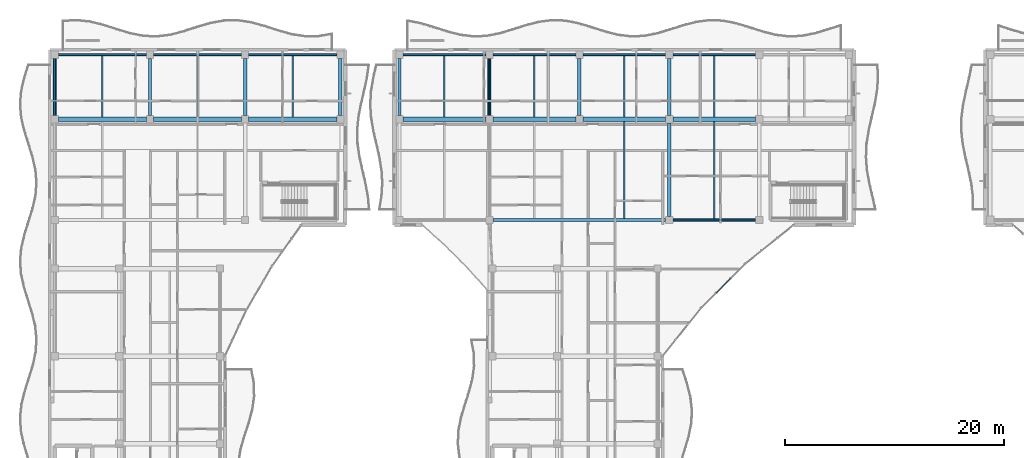
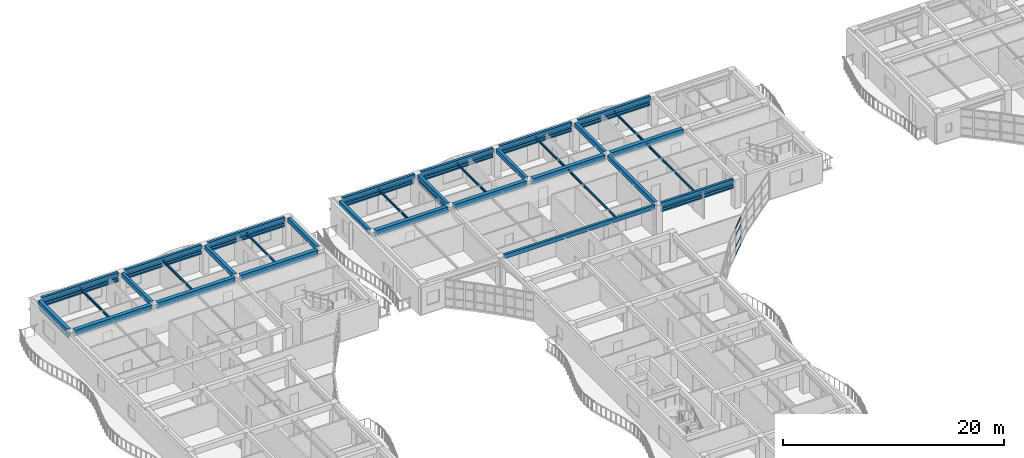
# One storey, part 15 of 89: 34 beams, 24 members, 1 element without a shape of its own.
"""IFC4 building model written with IfcOpenShell, lengths in metres."""

from ifc_helpers import new_model, si_unit, direction, frame, origin, origin_2d, place, context, subcontext, project, spatial, rectangle, hollow_rectangle, i_section, extrude, material, layer, layer_set, material_profile, profile_set, type_object, element, aggregate, save


model = new_model("IFC4")

# Units and contexts
model_context = context("Model", 3, precision=1e-05, world=origin(), true_north=direction((0.0, 1.0)))
body_context = subcontext(model_context, "Body", "Model", "MODEL_VIEW")
ifc_project = project(units=[si_unit("LENGTHUNIT", "METRE"), si_unit("AREAUNIT", "SQUARE_METRE"), si_unit("VOLUMEUNIT", "CUBIC_METRE"), si_unit("PLANEANGLEUNIT", "RADIAN"), si_unit("MASSUNIT", "GRAM", prefix="KILO")], contexts=[model_context])

# Site, building, storey
site_placement = place(None, origin())
site = spatial("IfcSite", under=ifc_project, at=site_placement, CompositionType="ELEMENT")
building_placement = place(site_placement, origin())
building = spatial("IfcBuilding", under=site, at=building_placement, Name="Keldmere Railside Commons", CompositionType="ELEMENT")
storey_placement = place(building_placement, frame((0.0, 0.0, 7.360107421875)))
storey = spatial("IfcBuildingStorey", under=building, at=storey_placement, Name="L02", CompositionType="ELEMENT", Elevation=7.360107421875)

# Members
ifc_material_1 = material(Name="Steel F-36 (S355)", Category="steel")
ifc_material_profile_1 = material_profile(ifc_material_1, hollow_rectangle(XDim=0.14990234375, YDim=0.25, WallThickness=0.010009765625, at=origin_2d()), Name="RHS-250x150x10")
ifc_profile_set_1 = profile_set([ifc_material_profile_1], Name="Steel F-36 (S355)")
member_type_1 = type_object("IfcMemberType", Name="Balcony Continuous Planted Trough RHS250x150", PredefinedType="CHORD", material=ifc_profile_set_1)
member_1_placement = place(storey_placement, frame((8.77490234375, 115.550048828125, 2.414794921875), z_axis=(1.0, 0.0, 0.0), x_axis=(0.0, 1.0, 0.0)))
element("IfcMember", 1, at=member_1_placement, inside=storey, type_object=member_type_1, Name="PLT-1 MEM-BPLT-0211", PredefinedType="CHORD", context=body_context, shape_type="SweptSolid", body=[
    extrude(hollow_rectangle(XDim=0.14990234375, YDim=0.25, WallThickness=0.010009765625, at=origin_2d()), origin(), (0.0, 0.0, 1.0), 8.050048828125),
])
member_2_placement = place(storey_placement, frame((17.47509765625, 115.550048828125, 2.414794921875), z_axis=(1.0, 0.0, 0.0), x_axis=(0.0, 1.0, 0.0)))
element("IfcMember", 2, at=member_2_placement, inside=storey, type_object=member_type_1, Name="PLT-1 MEM-BPLT-0213", PredefinedType="CHORD", context=body_context, shape_type="SweptSolid", body=[
    extrude(hollow_rectangle(XDim=0.14990234375, YDim=0.25, WallThickness=0.010009765625, at=origin_2d()), origin(), (0.0, 0.0, 1.0), 8.0498046875),
])
member_3_placement = place(storey_placement, frame((26.175048828125, 115.550048828125, 2.414794921875), z_axis=(1.0, 0.0, 0.0), x_axis=(0.0, 1.0, 0.0)))
element("IfcMember", 3, at=member_3_placement, inside=storey, type_object=member_type_1, Name="PLT-1 MEM-BPLT-0215", PredefinedType="CHORD", context=body_context, shape_type="SweptSolid", body=[
    extrude(hollow_rectangle(XDim=0.14990234375, YDim=0.25, WallThickness=0.010009765625, at=origin_2d()), origin(), (0.0, 0.0, 1.0), 8.050048828125),
])
member_4_placement = place(storey_placement, frame((8.449951171875, 109.97509765625, 2.414794921875), z_axis=(0.0, 1.0, 0.0), x_axis=(-1.0, 0.0, 0.0)))
element("IfcMember", 4, at=member_4_placement, inside=storey, type_object=member_type_1, Name="PLT-1 MEM-BPLT-0225", PredefinedType="CHORD", context=body_context, shape_type="SweptSolid", body=[
    extrude(hollow_rectangle(XDim=0.14990234375, YDim=0.25, WallThickness=0.010009765625, at=origin_2d()), origin(), (0.0, 0.0, 1.0), 5.25),
])
member_5_placement = place(storey_placement, frame((40.27490234375, 115.550048828125, 2.414794921875), z_axis=(1.0, 0.0, 0.0), x_axis=(0.0, 1.0, 0.0)))
element("IfcMember", 5, at=member_5_placement, inside=storey, type_object=member_type_1, Name="PLT-1 MEM-BPLT-0237", PredefinedType="CHORD", context=body_context, shape_type="SweptSolid", body=[
    extrude(hollow_rectangle(XDim=0.14990234375, YDim=0.25, WallThickness=0.010009765625, at=origin_2d()), origin(), (0.0, 0.0, 1.0), 7.570068359375),
])
for number, where, z_axis, x_axis, name in (
    (6, (48.4951171875, 115.550048828125, 2.414794921875), (1.0, 0.0, 0.0), (0.0, 1.0, 0.0), "PLT-1 MEM-BPLT-0239"),
    (7, (56.715087890625, 115.550048828125, 2.414794921875), (1.0, 0.0, 0.0), (0.0, 1.0, 0.0), "PLT-1 MEM-BPLT-0241"),
    (8, (64.93505859375, 115.550048828125, 2.414794921875), (1.0, 0.0, 0.0), (0.0, 1.0, 0.0), "PLT-1 MEM-BPLT-0243"),
    (9, (64.93505859375, 100.449951171875, 2.414794921875), (1.0, 0.0, 0.0), (0.0, 1.0, 0.0), "PLT-1 MEM-BPLT-0249"),
):
    element("IfcMember", number, at=place(storey_placement, frame(where, z_axis=z_axis, x_axis=x_axis)), inside=storey, type_object=member_type_1, Name=name, PredefinedType="CHORD", context=body_context, shape_type="SweptSolid", body=[
        extrude(hollow_rectangle(XDim=0.14990234375, YDim=0.25, WallThickness=0.010009765625, at=origin_2d()), origin(), (0.0, 0.0, 1.0), 7.56982421875),
    ])
member_6_placement = place(storey_placement, frame((48.169921875, 109.97509765625, 2.414794921875), z_axis=(0.0, 1.0, 0.0), x_axis=(-1.0, 0.0, 0.0)))
element("IfcMember", 10, at=member_6_placement, inside=storey, type_object=member_type_1, Name="PLT-1 MEM-BPLT-0259", PredefinedType="CHORD", context=body_context, shape_type="SweptSolid", body=[
    extrude(hollow_rectangle(XDim=0.14990234375, YDim=0.25, WallThickness=0.010009765625, at=origin_2d()), origin(), (0.0, 0.0, 1.0), 5.25),
])

# Beams
ifc_material_profile_2 = material_profile(ifc_material_1, i_section(OverallWidth=0.1201171875, OverallDepth=0.239990234375, WebThickness=0.006103515625, FlangeThickness=0.009765625, at=origin_2d()), Name="IPE-240")
ifc_profile_set_2 = profile_set([ifc_material_profile_2], Name="Steel F-36 (S355)")
beam_type_1 = type_object("IfcBeamType", Name="Nursery & Mezzanine Steel Joist IPE240", PredefinedType="JOIST", material=ifc_profile_set_2)
for number, where, z_axis, x_axis, name in (
    (11, (60.5, 100.574951171875, 2.809814453125), (0.0, 1.0, 0.0), (-1.0, 0.0, 0.0), "JST-2 BM-L02-1301"),
    (12, (68.719970703125, 100.574951171875, 2.809814453125), (0.0, 1.0, 0.0), (-1.0, 0.0, 0.0), "JST-2 BM-L02-1302"),
):
    element("IfcBeam", number, at=place(storey_placement, frame(where, z_axis=z_axis, x_axis=x_axis)), inside=storey, type_object=beam_type_1, Name=name, PredefinedType="JOIST", context=body_context, shape_type="SweptSolid", body=[
        extrude(i_section(OverallWidth=0.1201171875, OverallDepth=0.239990234375, WebThickness=0.006103515625, FlangeThickness=0.009765625, at=origin_2d()), origin(), (0.0, 0.0, 1.0), 8.875),
    ])
for number, where, z_axis, x_axis, name in (
    (13, (12.800048828125, 109.85009765625, 2.809814453125), (0.0, 1.0, 0.0), (-1.0, 0.0, 0.0), "JST-2 BM-L02-1310"),
    (14, (21.5, 109.85009765625, 2.809814453125), (0.0, 1.0, 0.0), (-1.0, 0.0, 0.0), "JST-2 BM-L02-1311"),
    (15, (30.199951171875, 109.85009765625, 2.809814453125), (0.0, 1.0, 0.0), (-1.0, 0.0, 0.0), "JST-2 BM-L02-1312"),
    (16, (44.06005859375, 109.85009765625, 2.809814453125), (0.0, 1.0, 0.0), (-1.0, 0.0, 0.0), "JST-2 BM-L02-1313"),
    (17, (52.280029296875, 109.85009765625, 2.809814453125), (0.0, 1.0, 0.0), (-1.0, 0.0, 0.0), "JST-2 BM-L02-1314"),
    (18, (60.5, 109.85009765625, 2.809814453125), (0.0, 1.0, 0.0), (-1.0, 0.0, 0.0), "JST-2 BM-L02-1315"),
    (19, (68.719970703125, 109.85009765625, 2.809814453125), (0.0, 1.0, 0.0), (-1.0, 0.0, 0.0), "JST-2 BM-L02-1316"),
):
    element("IfcBeam", number, at=place(storey_placement, frame(where, z_axis=z_axis, x_axis=x_axis)), inside=storey, type_object=beam_type_1, Name=name, PredefinedType="JOIST", context=body_context, shape_type="SweptSolid", body=[
        extrude(i_section(OverallWidth=0.1201171875, OverallDepth=0.239990234375, WebThickness=0.006103515625, FlangeThickness=0.009765625, at=origin_2d()), origin(), (0.0, 0.0, 1.0), 5.574951171875),
    ])
ifc_material_2 = material(Name="Architectural Precast Concrete H-35 (C35/45)", Category="concrete")
ifc_material_profile_3 = material_profile(ifc_material_2, rectangle(XDim=0.25, YDim=0.449951171875, at=origin_2d()), Name="RC-250x450")
ifc_profile_set_3 = profile_set([ifc_material_profile_3], Name="Architectural Precast Concrete H-35 (C35/45)")
beam_type_2 = type_object("IfcBeamType", Name="Perimeter Precast Spandrel Beam 250x450", PredefinedType="SPANDREL", material=ifc_profile_set_3)
beam_1_placement = place(storey_placement, frame((48.4951171875, 100.449951171875, 2.974853515625), z_axis=(1.0, 0.0, 0.0), x_axis=(0.0, 1.0, 0.0)))
element("IfcBeam", 20, at=beam_1_placement, inside=storey, type_object=beam_type_2, Name="SPB-1 BM-L02-1110", PredefinedType="SPANDREL", context=body_context, shape_type="SweptSolid", body=[
    extrude(rectangle(XDim=0.25, YDim=0.449951171875, at=origin_2d()), origin(), (0.0, 0.0, 1.0), 15.789794921875),
])
beam_2_placement = place(storey_placement, frame((64.93505859375, 100.449951171875, 2.974853515625), z_axis=(1.0, 0.0, 0.0), x_axis=(0.0, 1.0, 0.0)))
element("IfcBeam", 21, at=beam_2_placement, inside=storey, type_object=beam_type_2, Name="SPB-1 BM-L02-1111", PredefinedType="SPANDREL", context=body_context, shape_type="SweptSolid", body=[
    extrude(rectangle(XDim=0.25, YDim=0.449951171875, at=origin_2d()), origin(), (0.0, 0.0, 1.0), 7.56982421875),
])
beam_3_placement = place(storey_placement, frame((8.77490234375, 115.550048828125, 2.974853515625), z_axis=(1.0, 0.0, 0.0), x_axis=(0.0, 1.0, 0.0)))
element("IfcBeam", 22, at=beam_3_placement, inside=storey, type_object=beam_type_2, Name="SPB-1 BM-L02-1137", PredefinedType="SPANDREL", context=body_context, shape_type="SweptSolid", body=[
    extrude(rectangle(XDim=0.25, YDim=0.449951171875, at=origin_2d()), origin(), (0.0, 0.0, 1.0), 8.050048828125),
])
beam_4_placement = place(storey_placement, frame((17.47509765625, 115.550048828125, 2.974853515625), z_axis=(1.0, 0.0, 0.0), x_axis=(0.0, 1.0, 0.0)))
element("IfcBeam", 23, at=beam_4_placement, inside=storey, type_object=beam_type_2, Name="SPB-1 BM-L02-1138", PredefinedType="SPANDREL", context=body_context, shape_type="SweptSolid", body=[
    extrude(rectangle(XDim=0.25, YDim=0.449951171875, at=origin_2d()), origin(), (0.0, 0.0, 1.0), 8.0498046875),
])
beam_5_placement = place(storey_placement, frame((26.175048828125, 115.550048828125, 2.974853515625), z_axis=(1.0, 0.0, 0.0), x_axis=(0.0, 1.0, 0.0)))
element("IfcBeam", 24, at=beam_5_placement, inside=storey, type_object=beam_type_2, Name="SPB-1 BM-L02-1139", PredefinedType="SPANDREL", context=body_context, shape_type="SweptSolid", body=[
    extrude(rectangle(XDim=0.25, YDim=0.449951171875, at=origin_2d()), origin(), (0.0, 0.0, 1.0), 8.050048828125),
])
beam_6_placement = place(storey_placement, frame((40.27490234375, 115.550048828125, 2.974853515625), z_axis=(1.0, 0.0, 0.0), x_axis=(0.0, 1.0, 0.0)))
element("IfcBeam", 25, at=beam_6_placement, inside=storey, type_object=beam_type_2, Name="SPB-1 BM-L02-1140", PredefinedType="SPANDREL", context=body_context, shape_type="SweptSolid", body=[
    extrude(rectangle(XDim=0.25, YDim=0.449951171875, at=origin_2d()), origin(), (0.0, 0.0, 1.0), 7.570068359375),
])
for number, where, z_axis, x_axis, name in (
    (26, (48.4951171875, 115.550048828125, 2.974853515625), (1.0, 0.0, 0.0), (0.0, 1.0, 0.0), "SPB-1 BM-L02-1141"),
    (27, (56.715087890625, 115.550048828125, 2.974853515625), (1.0, 0.0, 0.0), (0.0, 1.0, 0.0), "SPB-1 BM-L02-1142"),
    (28, (64.93505859375, 115.550048828125, 2.974853515625), (1.0, 0.0, 0.0), (0.0, 1.0, 0.0), "SPB-1 BM-L02-1143"),
):
    element("IfcBeam", number, at=place(storey_placement, frame(where, z_axis=z_axis, x_axis=x_axis)), inside=storey, type_object=beam_type_2, Name=name, PredefinedType="SPANDREL", context=body_context, shape_type="SweptSolid", body=[
        extrude(rectangle(XDim=0.25, YDim=0.449951171875, at=origin_2d()), origin(), (0.0, 0.0, 1.0), 7.56982421875),
    ])
ifc_material_3 = material(Name="Concrete H-30 (C30/37)", Category="concrete")
ifc_material_profile_4 = material_profile(ifc_material_3, rectangle(XDim=0.35009765625, YDim=0.60009765625, at=origin_2d()), Name="RC-350x600")
ifc_profile_set_4 = profile_set([ifc_material_profile_4], Name="Concrete H-30 (C30/37)")
beam_type_3 = type_object("IfcBeamType", Name="Residential Chord RC Beam 350x600", PredefinedType="BEAM", material=ifc_profile_set_4)
beam_7_placement = place(storey_placement, frame((8.449951171875, 109.97509765625, 2.89990234375), z_axis=(0.0, 1.0, 0.0), x_axis=(-1.0, 0.0, 0.0)))
element("IfcBeam", 29, at=beam_7_placement, inside=storey, type_object=beam_type_3, Name="BG-4 BM-L02-1161", PredefinedType="BEAM", context=body_context, shape_type="SweptSolid", body=[
    extrude(rectangle(XDim=0.35009765625, YDim=0.60009765625, at=origin_2d()), origin(), (0.0, 0.0, 1.0), 5.25),
])
ifc_material_profile_5 = material_profile(ifc_material_3, rectangle(XDim=0.39990234375, YDim=0.64990234375, at=origin_2d()), Name="RC-400x650")
ifc_profile_set_5 = profile_set([ifc_material_profile_5], Name="Concrete H-30 (C30/37)")
beam_type_4 = type_object("IfcBeamType", Name="Residential Spine RC Girder 400x650", PredefinedType="BEAM", material=ifc_profile_set_5)
beam_8_placement = place(storey_placement, frame((8.77490234375, 109.64990234375, 2.875), z_axis=(1.0, 0.0, 0.0), x_axis=(0.0, 1.0, 0.0)))
element("IfcBeam", 30, at=beam_8_placement, inside=storey, type_object=beam_type_4, Name="BG-3 BM-L02-1118", PredefinedType="BEAM", context=body_context, shape_type="SweptSolid", body=[
    extrude(rectangle(XDim=0.39990234375, YDim=0.64990234375, at=origin_2d()), origin(), (0.0, 0.0, 1.0), 8.050048828125),
])
beam_9_placement = place(storey_placement, frame((17.47509765625, 109.64990234375, 2.875), z_axis=(1.0, 0.0, 0.0), x_axis=(0.0, 1.0, 0.0)))
element("IfcBeam", 31, at=beam_9_placement, inside=storey, type_object=beam_type_4, Name="BG-3 BM-L02-1119", PredefinedType="BEAM", context=body_context, shape_type="SweptSolid", body=[
    extrude(rectangle(XDim=0.39990234375, YDim=0.64990234375, at=origin_2d()), origin(), (0.0, 0.0, 1.0), 8.0498046875),
])
beam_10_placement = place(storey_placement, frame((26.175048828125, 109.64990234375, 2.875), z_axis=(1.0, 0.0, 0.0), x_axis=(0.0, 1.0, 0.0)))
element("IfcBeam", 32, at=beam_10_placement, inside=storey, type_object=beam_type_4, Name="BG-3 BM-L02-1120", PredefinedType="BEAM", context=body_context, shape_type="SweptSolid", body=[
    extrude(rectangle(XDim=0.39990234375, YDim=0.64990234375, at=origin_2d()), origin(), (0.0, 0.0, 1.0), 8.050048828125),
])
beam_11_placement = place(storey_placement, frame((40.27490234375, 109.64990234375, 2.875), z_axis=(1.0, 0.0, 0.0), x_axis=(0.0, 1.0, 0.0)))
element("IfcBeam", 33, at=beam_11_placement, inside=storey, type_object=beam_type_4, Name="BG-3 BM-L02-1121", PredefinedType="BEAM", context=body_context, shape_type="SweptSolid", body=[
    extrude(rectangle(XDim=0.39990234375, YDim=0.64990234375, at=origin_2d()), origin(), (0.0, 0.0, 1.0), 7.570068359375),
])
for number, where, z_axis, x_axis, name in (
    (34, (48.4951171875, 109.64990234375, 2.875), (1.0, 0.0, 0.0), (0.0, 1.0, 0.0), "BG-3 BM-L02-1122"),
    (35, (56.715087890625, 109.64990234375, 2.875), (1.0, 0.0, 0.0), (0.0, 1.0, 0.0), "BG-3 BM-L02-1123"),
    (36, (64.93505859375, 109.64990234375, 2.875), (1.0, 0.0, 0.0), (0.0, 1.0, 0.0), "BG-3 BM-L02-1124"),
):
    element("IfcBeam", number, at=place(storey_placement, frame(where, z_axis=z_axis, x_axis=x_axis)), inside=storey, type_object=beam_type_4, Name=name, PredefinedType="BEAM", context=body_context, shape_type="SweptSolid", body=[
        extrude(rectangle(XDim=0.39990234375, YDim=0.64990234375, at=origin_2d()), origin(), (0.0, 0.0, 1.0), 7.56982421875),
    ])
ifc_material_profile_6 = material_profile(ifc_material_3, rectangle(XDim=0.300048828125, YDim=0.5, at=origin_2d()), Name="RC-300x500")
ifc_profile_set_6 = profile_set([ifc_material_profile_6], Name="Concrete H-30 (C30/37)")
beam_type_5 = type_object("IfcBeamType", Name="Secondary Frame RC Beam 300x500", PredefinedType="BEAM", material=ifc_profile_set_6)
for number, where, z_axis, x_axis, name in (
    (37, (17.14990234375, 109.97509765625, 2.949951171875), (0.0, 1.0, 0.0), (-1.0, 0.0, 0.0), "BG-5 BM-L02-1167"),
    (38, (25.85009765625, 109.97509765625, 2.949951171875), (0.0, 1.0, 0.0), (-1.0, 0.0, 0.0), "BG-5 BM-L02-1174"),
    (39, (34.550048828125, 109.97509765625, 2.949951171875), (0.0, 1.0, 0.0), (-1.0, 0.0, 0.0), "BG-5 BM-L02-1175"),
    (40, (39.949951171875, 109.97509765625, 2.949951171875), (0.0, 1.0, 0.0), (-1.0, 0.0, 0.0), "BG-5 BM-L02-1177"),
    (41, (48.169921875, 109.97509765625, 2.949951171875), (0.0, 1.0, 0.0), (-1.0, 0.0, 0.0), "BG-5 BM-L02-1181"),
    (42, (56.389892578125, 109.97509765625, 2.949951171875), (0.0, 1.0, 0.0), (-1.0, 0.0, 0.0), "BG-5 BM-L02-1189"),
):
    element("IfcBeam", number, at=place(storey_placement, frame(where, z_axis=z_axis, x_axis=x_axis)), inside=storey, type_object=beam_type_5, Name=name, PredefinedType="BEAM", context=body_context, shape_type="SweptSolid", body=[
        extrude(rectangle(XDim=0.300048828125, YDim=0.5, at=origin_2d()), origin(), (0.0, 0.0, 1.0), 5.25),
    ])
beam_12_placement = place(storey_placement, frame((64.610107421875, 100.77490234375, 2.949951171875), z_axis=(0.0, 1.0, 0.0), x_axis=(-1.0, 0.0, 0.0)))
element("IfcBeam", 43, at=beam_12_placement, inside=storey, type_object=beam_type_5, Name="BG-5 BM-L02-1195", PredefinedType="BEAM", context=body_context, shape_type="SweptSolid", body=[
    extrude(rectangle(XDim=0.300048828125, YDim=0.5, at=origin_2d()), origin(), (0.0, 0.0, 1.0), 8.550048828125),
])
beam_13_placement = place(storey_placement, frame((64.610107421875, 109.97509765625, 2.949951171875), z_axis=(0.0, 1.0, 0.0), x_axis=(-1.0, 0.0, 0.0)))
element("IfcBeam", 44, at=beam_13_placement, inside=storey, type_object=beam_type_5, Name="BG-5 BM-L02-1196", PredefinedType="BEAM", context=body_context, shape_type="SweptSolid", body=[
    extrude(rectangle(XDim=0.300048828125, YDim=0.5, at=origin_2d()), origin(), (0.0, 0.0, 1.0), 5.25),
])

# Members
ifc_material_profile_7 = material_profile(ifc_material_1, hollow_rectangle(XDim=0.10009765625, YDim=0.159912109375, WallThickness=0.008056640625, at=origin_2d()), Name="RHS-160x100x8")
ifc_profile_set_7 = profile_set([ifc_material_profile_7], Name="Steel F-36 (S355)")
member_type_2 = type_object("IfcMemberType", Name="Solar Brise-Soleil Louvre Fin RHS160x100", PredefinedType="STRUT", material=ifc_profile_set_7)
member_7_placement = place(storey_placement, frame((8.77490234375, 115.550048828125, 2.199951171875), z_axis=(1.0, 0.0, 0.0), x_axis=(0.0, 1.0, 0.0)))
element("IfcMember", 45, at=member_7_placement, inside=storey, type_object=member_type_2, Name="BSF-1 MEM-BSF-0212", PredefinedType="STRUT", context=body_context, shape_type="SweptSolid", body=[
    extrude(hollow_rectangle(XDim=0.10009765625, YDim=0.159912109375, WallThickness=0.008056640625, at=origin_2d()), origin(), (0.0, 0.0, 1.0), 8.050048828125),
])
member_8_placement = place(storey_placement, frame((17.47509765625, 115.550048828125, 2.199951171875), z_axis=(1.0, 0.0, 0.0), x_axis=(0.0, 1.0, 0.0)))
element("IfcMember", 46, at=member_8_placement, inside=storey, type_object=member_type_2, Name="BSF-1 MEM-BSF-0214", PredefinedType="STRUT", context=body_context, shape_type="SweptSolid", body=[
    extrude(hollow_rectangle(XDim=0.10009765625, YDim=0.159912109375, WallThickness=0.008056640625, at=origin_2d()), origin(), (0.0, 0.0, 1.0), 8.0498046875),
])
member_9_placement = place(storey_placement, frame((26.175048828125, 115.550048828125, 2.199951171875), z_axis=(1.0, 0.0, 0.0), x_axis=(0.0, 1.0, 0.0)))
element("IfcMember", 47, at=member_9_placement, inside=storey, type_object=member_type_2, Name="BSF-1 MEM-BSF-0216", PredefinedType="STRUT", context=body_context, shape_type="SweptSolid", body=[
    extrude(hollow_rectangle(XDim=0.10009765625, YDim=0.159912109375, WallThickness=0.008056640625, at=origin_2d()), origin(), (0.0, 0.0, 1.0), 8.050048828125),
])
member_10_placement = place(storey_placement, frame((8.449951171875, 109.97509765625, 2.199951171875), z_axis=(0.0, 1.0, 0.0), x_axis=(-1.0, 0.0, 0.0)))
element("IfcMember", 48, at=member_10_placement, inside=storey, type_object=member_type_2, Name="BSF-1 MEM-BSF-0226", PredefinedType="STRUT", context=body_context, shape_type="SweptSolid", body=[
    extrude(hollow_rectangle(XDim=0.10009765625, YDim=0.159912109375, WallThickness=0.008056640625, at=origin_2d()), origin(), (0.0, 0.0, 1.0), 5.25),
])
member_11_placement = place(storey_placement, frame((40.27490234375, 115.550048828125, 2.199951171875), z_axis=(1.0, 0.0, 0.0), x_axis=(0.0, 1.0, 0.0)))
element("IfcMember", 49, at=member_11_placement, inside=storey, type_object=member_type_2, Name="BSF-1 MEM-BSF-0238", PredefinedType="STRUT", context=body_context, shape_type="SweptSolid", body=[
    extrude(hollow_rectangle(XDim=0.10009765625, YDim=0.159912109375, WallThickness=0.008056640625, at=origin_2d()), origin(), (0.0, 0.0, 1.0), 7.570068359375),
])
for number, where, z_axis, x_axis, name in (
    (50, (48.4951171875, 115.550048828125, 2.199951171875), (1.0, 0.0, 0.0), (0.0, 1.0, 0.0), "BSF-1 MEM-BSF-0240"),
    (51, (56.715087890625, 115.550048828125, 2.199951171875), (1.0, 0.0, 0.0), (0.0, 1.0, 0.0), "BSF-1 MEM-BSF-0242"),
    (52, (64.93505859375, 115.550048828125, 2.199951171875), (1.0, 0.0, 0.0), (0.0, 1.0, 0.0), "BSF-1 MEM-BSF-0244"),
    (53, (64.93505859375, 100.449951171875, 2.199951171875), (1.0, 0.0, 0.0), (0.0, 1.0, 0.0), "BSF-1 MEM-BSF-0250"),
):
    element("IfcMember", number, at=place(storey_placement, frame(where, z_axis=z_axis, x_axis=x_axis)), inside=storey, type_object=member_type_2, Name=name, PredefinedType="STRUT", context=body_context, shape_type="SweptSolid", body=[
        extrude(hollow_rectangle(XDim=0.10009765625, YDim=0.159912109375, WallThickness=0.008056640625, at=origin_2d()), origin(), (0.0, 0.0, 1.0), 7.56982421875),
    ])
member_12_placement = place(storey_placement, frame((48.169921875, 109.97509765625, 2.199951171875), z_axis=(0.0, 1.0, 0.0), x_axis=(-1.0, 0.0, 0.0)))
element("IfcMember", 54, at=member_12_placement, inside=storey, type_object=member_type_2, Name="BSF-1 MEM-BSF-0260", PredefinedType="STRUT", context=body_context, shape_type="SweptSolid", body=[
    extrude(hollow_rectangle(XDim=0.10009765625, YDim=0.159912109375, WallThickness=0.008056640625, at=origin_2d()), origin(), (0.0, 0.0, 1.0), 5.25),
])

# Curtain wall, members
ifc_material_4 = material(Name="Thermally Broken Aluminium", Category="aluminium")
ifc_layer = layer(ifc_material_4, 0.159912109375, Name="Court Chord Wintergarden CW 5400x2850")
ifc_layer_set = layer_set([ifc_layer], Name="Thermally Broken Aluminium")
curtain_wall_type = type_object("IfcCurtainWallType", Name="Court Chord Wintergarden CW 5400x2850", PredefinedType="NOTDEFINED", material=ifc_layer_set)
curtain_wall_placement = place(storey_placement, origin())
curtain_wall = element("IfcCurtainWall", 55, at=curtain_wall_placement, inside=storey, type_object=curtain_wall_type, Name="CW-13 CW-L02-038", PredefinedType="NOTDEFINED")
ifc_material_profile_8 = material_profile(ifc_material_4, hollow_rectangle(XDim=0.06494140625, YDim=0.1201171875, WallThickness=0.00390625, at=origin_2d()), Name="ALU-TRAN-65x120")
ifc_profile_set_8 = profile_set([ifc_material_profile_8], Name="Thermally Broken Aluminium")
member_type_3 = type_object("IfcMemberType", Name="Unitised Curtain Wall Transom 65x120", PredefinedType="USERDEFINED", material=ifc_profile_set_8)
member_13_placement = place(storey_placement, frame((70.208251953125, 95.08447265625, 0.032470703125), z_axis=(-0.707106781187, -0.707106781187, 0.0), x_axis=(0.707106781187, -0.707106781187, 0.0)))
member_13 = element("IfcMember", 56, at=member_13_placement, type_object=member_type_3, Name="CW-13 transom 2.1", ObjectType="TRANSOM", PredefinedType="USERDEFINED", context=body_context, shape_type="SweptSolid", body=[
    extrude(hollow_rectangle(XDim=0.06494140625, YDim=0.1201171875, WallThickness=0.00390625, at=origin_2d()), origin(), (0.0, 0.0, 1.0), 1.828125),
])
member_14_placement = place(storey_placement, frame((70.208251953125, 95.08447265625, 0.89990234375), z_axis=(-0.707106781187, -0.707106781187, 0.0), x_axis=(0.707106781187, -0.707106781187, 0.0)))
member_14 = element("IfcMember", 57, at=member_14_placement, type_object=member_type_3, Name="CW-13 transom 2.2", ObjectType="TRANSOM", PredefinedType="USERDEFINED", context=body_context, shape_type="SweptSolid", body=[
    extrude(hollow_rectangle(XDim=0.06494140625, YDim=0.1201171875, WallThickness=0.00390625, at=origin_2d()), origin(), (0.0, 0.0, 1.0), 1.828125),
])
member_15_placement = place(storey_placement, frame((70.208251953125, 95.08447265625, 2.14990234375), z_axis=(-0.707106781187, -0.707106781187, 0.0), x_axis=(0.707106781187, -0.707106781187, 0.0)))
member_15 = element("IfcMember", 58, at=member_15_placement, type_object=member_type_3, Name="CW-13 transom 2.3", ObjectType="TRANSOM", PredefinedType="USERDEFINED", context=body_context, shape_type="SweptSolid", body=[
    extrude(hollow_rectangle(XDim=0.06494140625, YDim=0.1201171875, WallThickness=0.00390625, at=origin_2d()), origin(), (0.0, 0.0, 1.0), 1.828125),
])
member_16_placement = place(storey_placement, frame((70.208251953125, 95.08447265625, 2.947509765625), z_axis=(-0.707106781187, -0.707106781187, 0.0), x_axis=(0.707106781187, -0.707106781187, 0.0)))
member_16 = element("IfcMember", 59, at=member_16_placement, type_object=member_type_3, Name="CW-13 transom 2.4", ObjectType="TRANSOM", PredefinedType="USERDEFINED", context=body_context, shape_type="SweptSolid", body=[
    extrude(hollow_rectangle(XDim=0.06494140625, YDim=0.1201171875, WallThickness=0.00390625, at=origin_2d()), origin(), (0.0, 0.0, 1.0), 1.828125),
])
aggregate(curtain_wall, [member_13, member_14, member_15, member_16])

save(model, "model.ifc")
